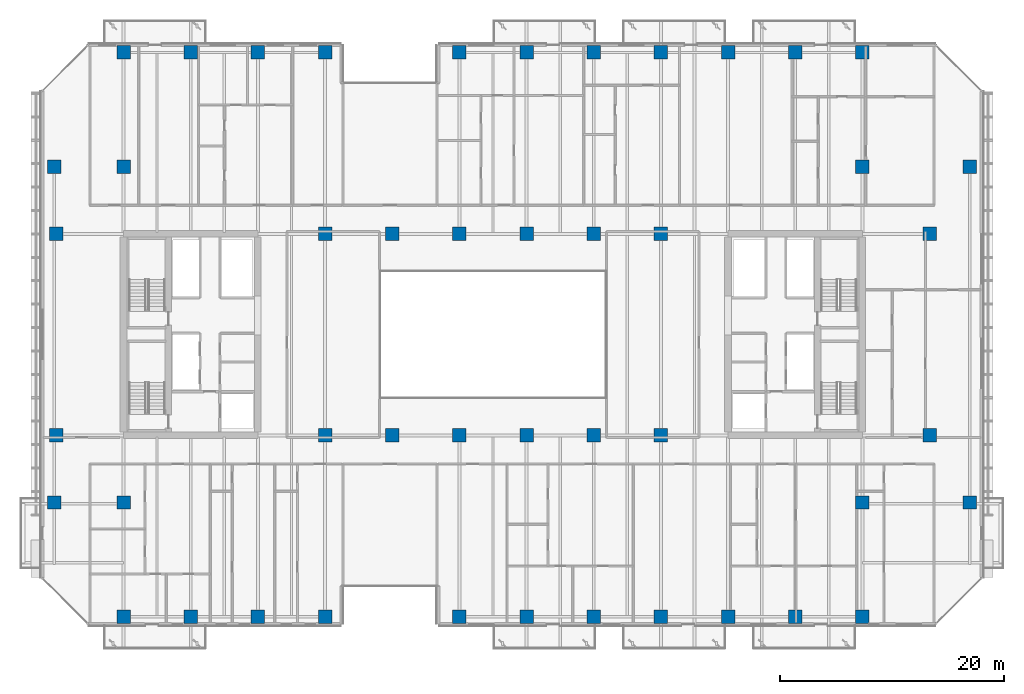
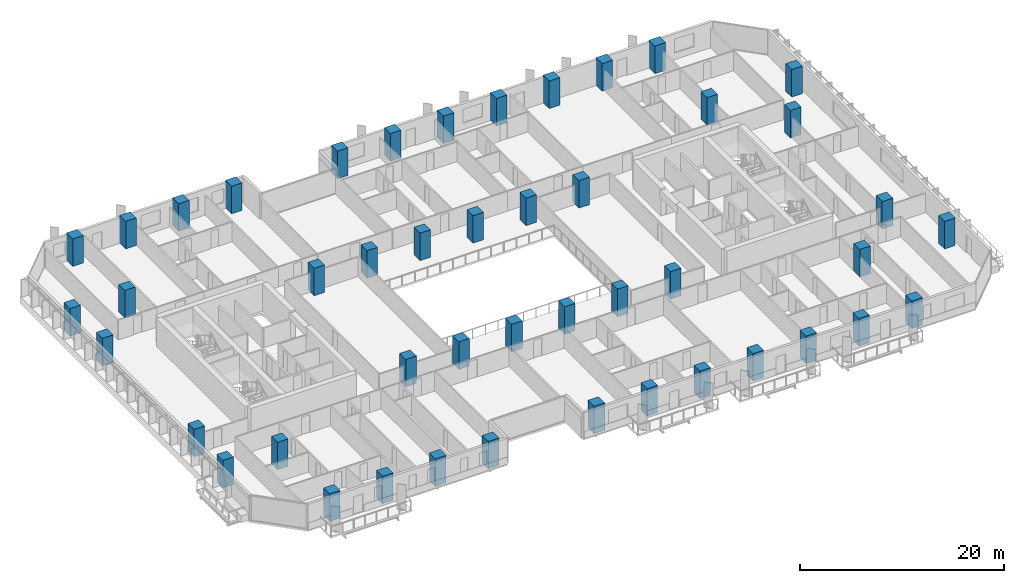
# One storey, part 1 of 33: 46 columns.
"""IFC4 building model written with IfcOpenShell, lengths in metres."""

from ifc_helpers import new_model, si_unit, direction, frame, origin, origin_2d, place, context, subcontext, project, spatial, rectangle, extrude, material, material_profile, profile_set, type_object, element, save


model = new_model("IFC4")

# Units and contexts
model_context = context("Model", 3, precision=1e-05, world=origin(), true_north=direction((0.0, 1.0)))
body_context = subcontext(model_context, "Body", "Model", "MODEL_VIEW")
ifc_project = project(units=[si_unit("LENGTHUNIT", "METRE"), si_unit("AREAUNIT", "SQUARE_METRE"), si_unit("VOLUMEUNIT", "CUBIC_METRE"), si_unit("PLANEANGLEUNIT", "RADIAN"), si_unit("MASSUNIT", "GRAM", prefix="KILO")], contexts=[model_context])

# Site, building, storey
site_placement = place(None, origin())
site = spatial("IfcSite", under=ifc_project, at=site_placement, CompositionType="ELEMENT")
building_placement = place(site_placement, origin())
building = spatial("IfcBuilding", under=site, at=building_placement, Name="Tanjung Sevakor Pilgrim Tower", CompositionType="ELEMENT")
storey_placement = place(building_placement, frame((0.0, 0.0, 35.639892578125)))
storey = spatial("IfcBuildingStorey", under=building, at=storey_placement, Name="L09", CompositionType="ELEMENT", Elevation=35.639892578125)

# Columns
ifc_material = material(Name="Concrete C60/75", Category="concrete")
ifc_material_profile = material_profile(ifc_material, rectangle(XDim=1.199951171875, YDim=1.199951171875, at=origin_2d()))
ifc_profile_set = profile_set([ifc_material_profile], Name="Concrete C60/75")
column_type = type_object("IfcColumnType", Name="COL-C-T1200-RC_1200x1200", PredefinedType="COLUMN", material=ifc_profile_set)
for number, where, z_axis, x_axis, name in (
    (1, (18.0, 24.60009765625, 0.0), (0.0, 0.0, 1.0), (1.0, 0.0, 0.0), "L09 Column SPW-018-246"),
    (2, (18.0, 42.60009765625, 0.0), (0.0, 0.0, 1.0), (1.0, 0.0, 0.0), "L09 Column SPW-018-426"),
    (3, (42.0, 24.60009765625, 0.0), (0.0, 0.0, 1.0), (1.0, 0.0, 0.0), "L09 Column SPW-042-246"),
    (4, (42.0, 42.60009765625, 0.0), (0.0, 0.0, 1.0), (1.0, 0.0, 0.0), "L09 Column SPW-042-426"),
    (5, (48.0, 24.60009765625, 0.0), (0.0, 0.0, 1.0), (1.0, 0.0, 0.0), "L09 Column SPW-048-246"),
    (6, (48.0, 42.60009765625, 0.0), (0.0, 0.0, 1.0), (1.0, 0.0, 0.0), "L09 Column SPW-048-426"),
    (7, (54.0, 24.60009765625, 0.0), (0.0, 0.0, 1.0), (1.0, 0.0, 0.0), "L09 Column SPE-054-246"),
    (8, (54.0, 42.60009765625, 0.0), (0.0, 0.0, 1.0), (1.0, 0.0, 0.0), "L09 Column SPE-054-426"),
    (9, (60.0, 24.60009765625, 0.0), (0.0, 0.0, 1.0), (1.0, 0.0, 0.0), "L09 Column SPE-060-246"),
    (10, (60.0, 42.60009765625, 0.0), (0.0, 0.0, 1.0), (1.0, 0.0, 0.0), "L09 Column SPE-060-426"),
    (11, (66.0, 24.60009765625, 0.0), (0.0, 0.0, 1.0), (1.0, 0.0, 0.0), "L09 Column SPE-066-246"),
    (12, (66.0, 42.60009765625, 0.0), (0.0, 0.0, 1.0), (1.0, 0.0, 0.0), "L09 Column SPE-066-426"),
    (13, (72.0, 24.60009765625, 0.0), (0.0, 0.0, 1.0), (1.0, 0.0, 0.0), "L09 Column SPE-072-246"),
    (14, (72.0, 42.60009765625, 0.0), (0.0, 0.0, 1.0), (1.0, 0.0, 0.0), "L09 Column SPE-072-426"),
    (15, (96.0, 24.60009765625, 0.0), (0.0, 0.0, 1.0), (1.0, 0.0, 0.0), "L09 Column SPE-096-246"),
    (16, (96.0, 42.60009765625, 0.0), (0.0, 0.0, 1.0), (1.0, 0.0, 0.0), "L09 Column SPE-096-426"),
    (17, (17.800048828125, 18.60009765625, 0.0), (0.0, 0.0, 1.0), (1.0, 0.0, 0.0), "L09 Column TCE-0178-186"),
    (18, (17.800048828125, 48.60009765625, 0.0), (0.0, 0.0, 1.0), (1.0, 0.0, 0.0), "L09 Column TCE-0178-486"),
    (19, (24.0, 18.60009765625, 0.0), (0.0, 0.0, 1.0), (1.0, 0.0, 0.0), "L09 Column TCE-0240-186"),
    (20, (24.0, 48.60009765625, 0.0), (0.0, 0.0, 1.0), (1.0, 0.0, 0.0), "L09 Column TCE-0240-486"),
    (21, (90.0, 18.60009765625, 0.0), (0.0, 0.0, 1.0), (1.0, 0.0, 0.0), "L09 Column TCE-0900-186"),
    (22, (90.0, 48.60009765625, 0.0), (0.0, 0.0, 1.0), (1.0, 0.0, 0.0), "L09 Column TCE-0900-486"),
    (23, (99.60009765625, 18.60009765625, 0.0), (0.0, 0.0, 1.0), (1.0, 0.0, 0.0), "L09 Column TCE-0996-186"),
    (24, (99.60009765625, 48.60009765625, 0.0), (0.0, 0.0, 1.0), (1.0, 0.0, 0.0), "L09 Column TCE-0996-486"),
    (25, (24.0, 8.39990234375, 0.0), (0.0, 0.0, 1.0), (1.0, 0.0, 0.0), "L09 Column TC1-024-084"),
    (26, (24.0, 58.800048828125, 0.0), (0.0, 0.0, 1.0), (1.0, 0.0, 0.0), "L09 Column TC1-024-588"),
    (27, (30.0, 8.39990234375, 0.0), (0.0, 0.0, 1.0), (1.0, 0.0, 0.0), "L09 Column TC1-030-084"),
    (28, (30.0, 58.800048828125, 0.0), (0.0, 0.0, 1.0), (1.0, 0.0, 0.0), "L09 Column TC1-030-588"),
    (29, (36.0, 8.39990234375, 0.0), (0.0, 0.0, 1.0), (1.0, 0.0, 0.0), "L09 Column TC1-036-084"),
    (30, (36.0, 58.800048828125, 0.0), (0.0, 0.0, 1.0), (1.0, 0.0, 0.0), "L09 Column TC1-036-588"),
    (31, (42.0, 8.39990234375, 0.0), (0.0, 0.0, 1.0), (1.0, 0.0, 0.0), "L09 Column TC1-042-084"),
    (32, (42.0, 58.800048828125, 0.0), (0.0, 0.0, 1.0), (1.0, 0.0, 0.0), "L09 Column TC1-042-588"),
    (33, (54.0, 8.39990234375, 0.0), (0.0, 0.0, 1.0), (1.0, 0.0, 0.0), "L09 Column TC1-054-084"),
    (34, (54.0, 58.800048828125, 0.0), (0.0, 0.0, 1.0), (1.0, 0.0, 0.0), "L09 Column TC1-054-588"),
    (35, (60.0, 8.39990234375, 0.0), (0.0, 0.0, 1.0), (1.0, 0.0, 0.0), "L09 Column TC1-060-084"),
    (36, (60.0, 58.800048828125, 0.0), (0.0, 0.0, 1.0), (1.0, 0.0, 0.0), "L09 Column TC1-060-588"),
    (37, (66.0, 8.39990234375, 0.0), (0.0, 0.0, 1.0), (1.0, 0.0, 0.0), "L09 Column TC1-066-084"),
    (38, (66.0, 58.800048828125, 0.0), (0.0, 0.0, 1.0), (1.0, 0.0, 0.0), "L09 Column TC1-066-588"),
    (39, (72.0, 8.39990234375, 0.0), (0.0, 0.0, 1.0), (1.0, 0.0, 0.0), "L09 Column TC1-072-084"),
    (40, (72.0, 58.800048828125, 0.0), (0.0, 0.0, 1.0), (1.0, 0.0, 0.0), "L09 Column TC1-072-588"),
    (41, (78.0, 8.39990234375, 0.0), (0.0, 0.0, 1.0), (1.0, 0.0, 0.0), "L09 Column TC1-078-084"),
    (42, (78.0, 58.800048828125, 0.0), (0.0, 0.0, 1.0), (1.0, 0.0, 0.0), "L09 Column TC1-078-588"),
    (43, (84.0, 8.39990234375, 0.0), (0.0, 0.0, 1.0), (1.0, 0.0, 0.0), "L09 Column TC1-084-084"),
    (44, (84.0, 58.800048828125, 0.0), (0.0, 0.0, 1.0), (1.0, 0.0, 0.0), "L09 Column TC1-084-588"),
    (45, (90.0, 8.39990234375, 0.0), (0.0, 0.0, 1.0), (1.0, 0.0, 0.0), "L09 Column TC1-090-084"),
    (46, (90.0, 58.800048828125, 0.0), (0.0, 0.0, 1.0), (1.0, 0.0, 0.0), "L09 Column TC1-090-588"),
):
    element("IfcColumn", number, at=place(storey_placement, frame(where, z_axis=z_axis, x_axis=x_axis)), inside=storey, type_object=column_type, Name=name, PredefinedType="COLUMN", context=body_context, shape_type="SweptSolid", body=[
        extrude(rectangle(XDim=1.199951171875, YDim=1.199951171875, at=origin_2d()), origin(), (0.0, 0.0, 1.0), 3.300048828125),
    ])

save(model, "model.ifc")
